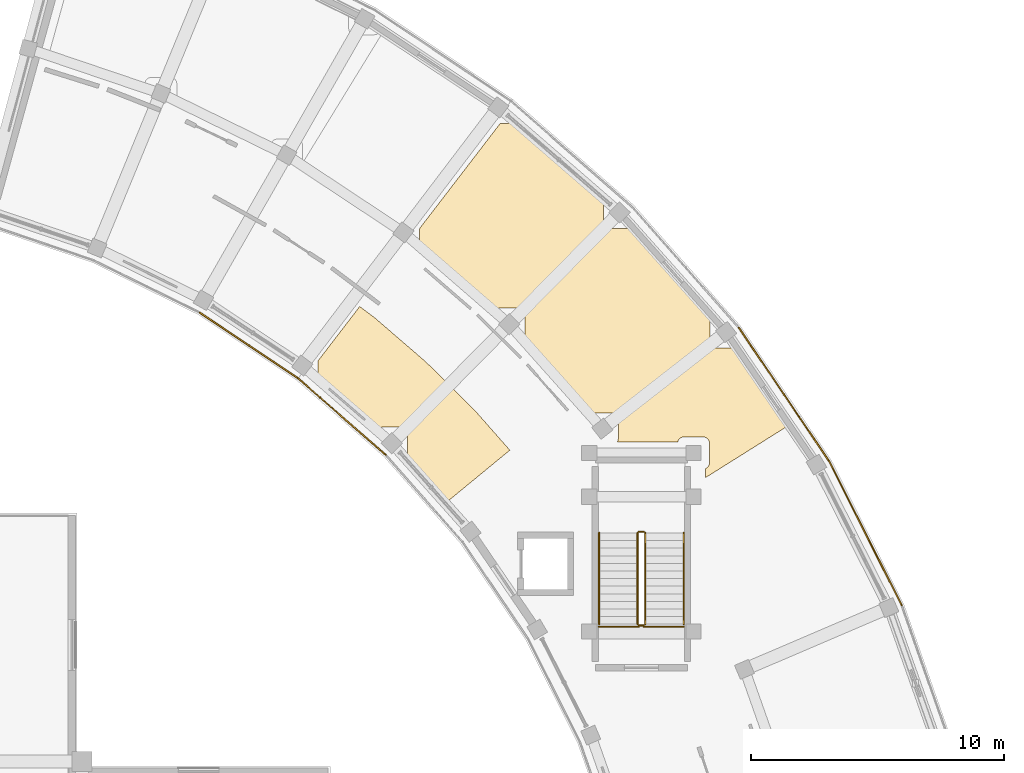
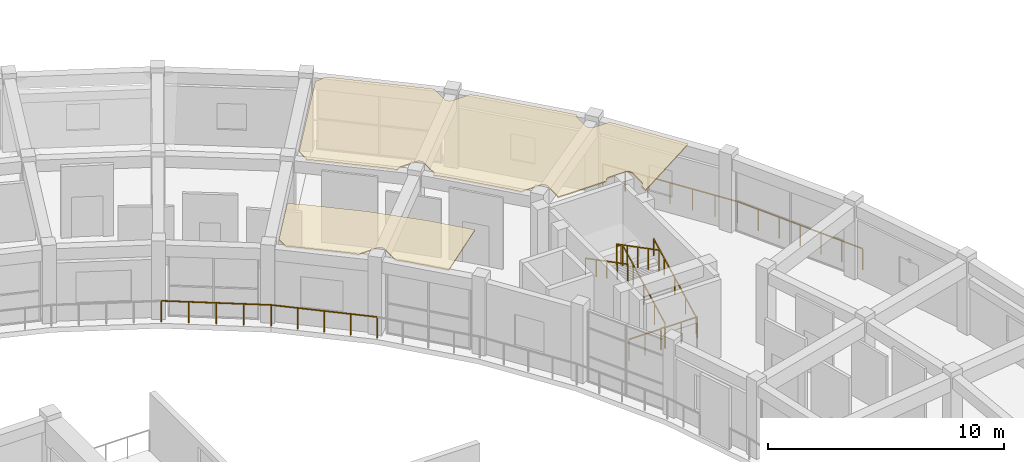
# One storey, part 69 of 70: 12 railings, 2 coverings.
"""IFC4 building model written with IfcOpenShell, lengths in metres."""

import ifcopenshell
import ifcopenshell.guid

model = None  # the IFC model being written
_history = None  # IfcOwnerHistory: only IFC2X3 demands one
_inside = {}  # id of a spatial element -> (the spatial element, [elements in it])
_under = {}  # id of a project, library or spatial element -> (it, [spatial elements below it])
_declared = {}  # id of a project -> (the project, [libraries it declares])
_typed = {}  # id of a type object -> (the type object, [elements of that type])
_made_of = {}  # id of a material, layer set ... -> (it, [elements and type objects made of it])


def new_model(schema):
    """Start an empty IFC model of exactly this schema.

    Asked for "IFC4X3", IfcOpenShell would pick the latest addendum, in which some entities
    have other attributes; the version numbers below select the first issue.
    IFC2X3 requires an IfcOwnerHistory on every rooted entity: one is made here for all.
    """
    global model, _history
    if schema == "IFC4X3":
        model = ifcopenshell.file(schema_version=(4, 3, 0, 0))
    else:
        model = ifcopenshell.file(schema=schema)
    _inside.clear()
    _under.clear()
    _declared.clear()
    _typed.clear()
    _made_of.clear()
    _history = None
    if model.schema == "IFC2X3":
        org = make("IfcOrganization", Name="unknown")
        user = make(
            "IfcPersonAndOrganization",
            ThePerson=make("IfcPerson", FamilyName="unknown"),
            TheOrganization=org,
        )
        app = make(
            "IfcApplication",
            ApplicationDeveloper=org,
            Version="unknown",
            ApplicationFullName="unknown",
            ApplicationIdentifier="unknown",
        )
        _history = make(
            "IfcOwnerHistory",
            OwningUser=user,
            OwningApplication=app,
            ChangeAction="ADDED",
            CreationDate=0,
        )
    return model


def make(cls, **values):
    """One entity of the class cls with the attributes given. An attribute that is None is left unset."""
    return model.create_entity(
        cls, **{name: value for name, value in values.items() if value is not None}
    )


def rooted(cls, **values):
    """An entity with a GlobalId (a new one), such as an element, a storey or a relation."""
    return make(cls, GlobalId=ifcopenshell.guid.new(), OwnerHistory=_history, **values)


def si_unit(unit_type, name, prefix=None):
    """IfcSIUnit, for example si_unit("LENGTHUNIT", "METRE", prefix="MILLI")."""
    return make("IfcSIUnit", UnitType=unit_type, Prefix=prefix, Name=name)


def assignment(units):
    """IfcUnitAssignment: the units of a project."""
    return None if units is None else make("IfcUnitAssignment", Units=units)


def point(xyz):
    """IfcCartesianPoint."""
    return None if xyz is None else make("IfcCartesianPoint", Coordinates=xyz)


def direction(xyz):
    """IfcDirection."""
    return None if xyz is None else make("IfcDirection", DirectionRatios=xyz)


def frame(location, z_axis=None, x_axis=None):
    """IfcAxis2Placement3D, a coordinate frame: its origin and axes. An axis left out is left unset."""
    return make(
        "IfcAxis2Placement3D",
        Location=point(location),
        Axis=direction(z_axis),
        RefDirection=direction(x_axis),
    )


def frame_2d(location, x_axis=None):
    """IfcAxis2Placement2D, a coordinate frame in the plane: its origin and x axis."""
    return make(
        "IfcAxis2Placement2D", Location=point(location), RefDirection=direction(x_axis)
    )


def origin():
    """The frame at (0, 0, 0) with its axes left unset."""
    return frame((0.0, 0.0, 0.0))


def origin_2d():
    """The frame at (0, 0) in the plane with its x axis left unset."""
    return frame_2d((0.0, 0.0))


def place(relative_to, where):
    """IfcLocalPlacement: puts the frame where relative to a parent placement (None: the world)."""
    return make(
        "IfcLocalPlacement", PlacementRelTo=relative_to, RelativePlacement=where
    )


def context(
    kind, dimensions, precision=None, world=None, true_north=None, identifier=None
):
    """IfcGeometricRepresentationContext, for example the 3D "Model" context."""
    return make(
        "IfcGeometricRepresentationContext",
        ContextIdentifier=identifier,
        ContextType=kind,
        CoordinateSpaceDimension=dimensions,
        Precision=precision,
        WorldCoordinateSystem=world,
        TrueNorth=true_north,
    )


def subcontext(parent, identifier, kind, view, scale=None):
    """IfcGeometricRepresentationSubContext, for example "Body" below "Model"."""
    return make(
        "IfcGeometricRepresentationSubContext",
        ContextIdentifier=identifier,
        ContextType=kind,
        ParentContext=parent,
        TargetScale=scale,
        TargetView=view,
    )


def project(units=None, contexts=None):
    """IfcProject with its units and contexts."""
    return rooted(
        "IfcProject",
        Name="project",
        RepresentationContexts=contexts,
        UnitsInContext=assignment(units),
    )


def spatial(cls, under=None, at=None, **own):
    """A site, building, storey or space (cls), placed at a placement, below another one or the project."""
    s = rooted(cls, ObjectPlacement=at, **own)
    if under is not None:
        _under.setdefault(under.id(), (under, []))[1].append(s)
    return s


def polyline(points):
    """IfcPolyline through the points."""
    return make("IfcPolyline", Points=[point(p) for p in points])


def profile(cls, at=None, kind="AREA", **sizes):
    """A parametric profile (cls). Its sizes go by their IFC names, for example OverallWidth=200.0."""
    return make(cls, ProfileType=kind, Position=at, **sizes)


def rectangle(**sizes):
    """IfcRectangleProfileDef."""
    return profile("IfcRectangleProfileDef", **sizes)


def outline(outer, holes=None, kind="AREA"):
    """IfcArbitraryClosedProfileDef: a profile drawn as a closed curve; with holes, ...WithVoids."""
    if holes is None:
        return make("IfcArbitraryClosedProfileDef", ProfileType=kind, OuterCurve=outer)
    return make(
        "IfcArbitraryProfileDefWithVoids",
        ProfileType=kind,
        OuterCurve=outer,
        InnerCurves=holes,
    )


def extrude(swept, where, along, depth):
    """IfcExtrudedAreaSolid: the profile swept, set in the frame where, extruded along a direction by depth."""
    return make(
        "IfcExtrudedAreaSolid",
        SweptArea=swept,
        Position=where,
        ExtrudedDirection=direction(along),
        Depth=depth,
    )


def shape(context_of_items, identifier, shape_type, items):
    """IfcShapeRepresentation: the items that make up one representation, for example the "Body"."""
    return make(
        "IfcShapeRepresentation",
        ContextOfItems=context_of_items,
        RepresentationIdentifier=identifier,
        RepresentationType=shape_type,
        Items=items,
    )


def material(Name=None, Category=None):
    """IfcMaterial."""
    return make("IfcMaterial", Name=Name, Category=Category)


def layer(
    of_material, thickness, ventilated=None, Name=None, Category=None, Priority=None
):
    """IfcMaterialLayer: one layer of a wall or slab, of a material (None: an air gap)."""
    return make(
        "IfcMaterialLayer",
        Material=of_material,
        LayerThickness=thickness,
        IsVentilated=ventilated,
        Name=Name,
        Category=Category,
        Priority=Priority,
    )


def layer_set(layers, Name=None):
    """IfcMaterialLayerSet."""
    return make("IfcMaterialLayerSet", MaterialLayers=layers, LayerSetName=Name)


def made_of(thing, what):
    """Note that an element or type object is made of a material, layer set ...; save() writes the relation."""
    if what is not None:
        _made_of.setdefault(what.id(), (what, []))[1].append(thing)
    return thing


def type_object(cls, material=None, **own):
    """A type object (cls), such as IfcWallType, which elements share."""
    return made_of(rooted(cls, **own), material)


def element(
    cls,
    number,
    at=None,
    inside=None,
    cuts=None,
    type_object=None,
    material=None,
    context=None,
    identifier="Body",
    shape_type=None,
    held_by="IfcProductDefinitionShape",
    body=None,
    shapes=None,
    **own,
):
    """One element of the class cls, such as IfcWall. Its Tag is "e" and its number.

    at: its placement. inside: the storey or other place that contains it. cuts: it is an
    opening in that element (IfcRelVoidsElement). A single representation is given by context,
    identifier, shape_type and body (its items); several are given by shapes. held_by: the class
    of the entity that holds the representations. save() writes the other relations.
    """
    e = rooted(cls, Tag="e%d" % number, ObjectPlacement=at, **own)
    if body is not None:
        shapes = [shape(context, identifier, shape_type, body)]
    if shapes is not None:
        e.Representation = make(held_by, Representations=shapes)
    if inside is not None:
        _inside.setdefault(inside.id(), (inside, []))[1].append(e)
    if cuts is not None:
        rooted(
            "IfcRelVoidsElement", RelatingBuildingElement=cuts, RelatedOpeningElement=e
        )
    if type_object is not None:
        _typed.setdefault(type_object.id(), (type_object, []))[1].append(e)
    return made_of(e, material)


def aggregate(whole, parts):
    """IfcRelAggregates: a whole, such as a stair, and the parts it consists of."""
    return rooted("IfcRelAggregates", RelatingObject=whole, RelatedObjects=parts)


def save(model, path):
    """Write the relations noted so far, then the file.

    IfcRelAggregates (storeys below a building ...), IfcRelContainedInSpatialStructure (elements
    in a storey), IfcRelDefinesByType, IfcRelAssociatesMaterial and IfcRelDeclares: one each for
    every whole, place, type object, material and project.
    """
    for whole, parts in _under.values():
        aggregate(whole, parts)
    for where, things in _inside.values():
        rooted(
            "IfcRelContainedInSpatialStructure",
            RelatedElements=things,
            RelatingStructure=where,
        )
    for kind, things in _typed.values():
        rooted("IfcRelDefinesByType", RelatedObjects=things, RelatingType=kind)
    for what, things in _made_of.values():
        rooted("IfcRelAssociatesMaterial", RelatedObjects=things, RelatingMaterial=what)
    for by, libraries in _declared.values():
        rooted("IfcRelDeclares", RelatingContext=by, RelatedDefinitions=libraries)
    model.write(path)


model = new_model("IFC4")

# Units and contexts
model_context = context("Model", 3, precision=1e-05, world=origin(), true_north=direction((0.0, 1.0)))
body_context = subcontext(model_context, "Body", "Model", "MODEL_VIEW")
ifc_project = project(units=[si_unit("LENGTHUNIT", "METRE"), si_unit("AREAUNIT", "SQUARE_METRE"), si_unit("VOLUMEUNIT", "CUBIC_METRE"), si_unit("PLANEANGLEUNIT", "RADIAN"), si_unit("MASSUNIT", "GRAM", prefix="KILO")], contexts=[model_context])

# Site, building, storey
site_placement = place(None, origin())
site = spatial("IfcSite", under=ifc_project, at=site_placement, CompositionType="ELEMENT")
building_placement = place(site_placement, origin())
building = spatial("IfcBuilding", under=site, at=building_placement, Name="Saryqyr Civic Hall", CompositionType="ELEMENT")
storey_placement = place(building_placement, frame((0.0, 0.0, 13.199951171875)))
storey = spatial("IfcBuildingStorey", under=building, at=storey_placement, Name="L03", CompositionType="ELEMENT", Elevation=13.199951171875)

# Coverings
ifc_material_1 = material(Name="Mineral-fibre acoustic ceiling tile", Category="acoustic_tile")
ifc_layer_1 = layer(ifc_material_1, 0.06005859375, Name="Mineral-fibre acoustic ceiling tile")
ifc_layer_set_1 = layer_set([ifc_layer_1], Name="Mineral-fibre acoustic ceiling tile")
covering_type = type_object("IfcCoveringType", Name="INT-COV-CEIL-60", PredefinedType="CEILING", material=ifc_layer_set_1)
covering_1_placement = place(storey_placement, frame((0.0, 0.0, 3.72998046875)))
element("IfcCovering", 1, at=covering_1_placement, inside=storey, type_object=covering_type, Name="Acoustic ceiling Building Control & Seismic Safety Inspectorate", PredefinedType="CEILING", context=body_context, shape_type="SweptSolid", body=[
    extrude(outline(polyline([(94.85888671875, 108.7919921875), (94.878662109375, 108.806640625), (94.896728515625, 108.8232421875), (94.913330078125, 108.84130859375), (94.927978515625, 108.861083984375), (94.9404296875, 108.882080078125), (94.950927734375, 108.904296875), (94.959228515625, 108.927490234375), (94.965087890625, 108.951171875), (94.96875, 108.9755859375), (94.969970703125, 109.0), (94.969970703125, 109.760009765625), (94.96875, 109.784423828125), (94.965087890625, 109.808837890625), (94.959228515625, 109.83251953125), (94.950927734375, 109.855712890625), (94.9404296875, 109.877685546875), (94.927978515625, 109.89892578125), (94.913330078125, 109.918701171875), (94.896728515625, 109.936767578125), (94.878662109375, 109.953369140625), (94.85888671875, 109.968017578125), (94.837890625, 109.98046875), (94.815673828125, 109.990966796875), (94.79248046875, 109.999267578125), (94.768798828125, 110.005126953125), (94.744384765625, 110.0087890625), (94.719970703125, 110.010009765625), (93.9599609375, 110.010009765625), (93.935546875, 110.0087890625), (93.9111328125, 110.005126953125), (93.887451171875, 109.999267578125), (93.8642578125, 109.990966796875), (93.84228515625, 109.98046875), (93.821044921875, 109.968017578125), (93.801513671875, 109.953369140625), (93.783203125, 109.936767578125), (93.7666015625, 109.918701171875), (93.752197265625, 109.89892578125), (93.739501953125, 109.877685546875), (93.72900390625, 109.855712890625), (93.720703125, 109.83251953125), (93.717529296875, 109.820068359375), (91.328125, 109.820068359375), (91.3388671875, 109.837890625), (91.349365234375, 109.85986328125), (91.357666015625, 109.883056640625), (91.363525390625, 109.90673828125), (91.3671875, 109.93115234375), (91.368408203125, 109.95556640625), (91.368408203125, 110.715576171875), (91.3671875, 110.739990234375), (91.363525390625, 110.764404296875), (91.357666015625, 110.7880859375), (91.349365234375, 110.811279296875), (91.3388671875, 110.83349609375), (91.326416015625, 110.8544921875), (91.311767578125, 110.874267578125), (91.295166015625, 110.892333984375), (91.277099609375, 110.908935546875), (91.25732421875, 110.923583984375), (91.236083984375, 110.93603515625), (91.214111328125, 110.946533203125), (91.19091796875, 110.954833984375), (91.167236328125, 110.960693359375), (91.142822265625, 110.96435546875), (91.118408203125, 110.965576171875), (90.3583984375, 110.965576171875), (90.333984375, 110.96435546875), (90.3095703125, 110.960693359375), (90.285888671875, 110.954833984375), (90.2626953125, 110.946533203125), (90.240478515625, 110.93603515625), (90.219482421875, 110.923583984375), (90.201416015625, 110.91015625), (89.92724609375, 111.26416015625), (89.904296875, 111.2919921875), (88.064697265625, 113.36865234375), (88.0400390625, 113.394775390625), (87.564208984375, 113.86572265625), (87.581787109375, 113.876220703125), (87.601318359375, 113.890869140625), (87.61962890625, 113.907470703125), (87.635986328125, 113.925537109375), (87.650634765625, 113.9453125), (87.663330078125, 113.96630859375), (87.673828125, 113.988525390625), (87.681884765625, 114.01171875), (87.68798828125, 114.035400390625), (87.691650390625, 114.059814453125), (87.69287109375, 114.084228515625), (87.69287109375, 114.84423828125), (87.691650390625, 114.86865234375), (87.68798828125, 114.89306640625), (87.681884765625, 114.916748046875), (87.673828125, 114.93994140625), (87.663330078125, 114.9619140625), (87.650634765625, 114.983154296875), (87.635986328125, 115.002685546875), (87.61962890625, 115.02099609375), (87.601318359375, 115.03759765625), (87.581787109375, 115.052001953125), (87.560546875, 115.064697265625), (87.53857421875, 115.0751953125), (87.515380859375, 115.08349609375), (87.49169921875, 115.08935546875), (87.46728515625, 115.093017578125), (87.44287109375, 115.09423828125), (86.682861328125, 115.09423828125), (86.658203125, 115.093017578125), (86.634033203125, 115.08935546875), (86.610107421875, 115.08349609375), (86.587158203125, 115.0751953125), (86.56494140625, 115.064697265625), (86.5439453125, 115.052001953125), (86.524169921875, 115.03759765625), (86.506103515625, 115.02099609375), (86.489501953125, 115.002685546875), (86.474853515625, 114.983154296875), (86.46240234375, 114.9619140625), (86.46044921875, 114.9580078125), (86.068115234375, 115.34619140625), (86.04150390625, 115.37060546875), (83.94580078125, 117.188232421875), (83.917724609375, 117.2109375), (83.465087890625, 117.55419921875), (83.4736328125, 117.56591796875), (83.486328125, 117.5869140625), (83.496826171875, 117.60888671875), (83.5048828125, 117.632080078125), (83.510986328125, 117.656005859375), (83.5146484375, 117.68017578125), (83.515869140625, 117.70458984375), (83.515869140625, 118.2275390625), (86.71142578125, 122.39208984375), (87.015625, 122.39208984375), (87.0400390625, 122.393310546875), (87.064453125, 122.39697265625), (87.088134765625, 122.403076171875), (87.111328125, 122.4111328125), (87.13330078125, 122.421630859375), (87.154541015625, 122.434326171875), (87.17431640625, 122.448974609375), (87.1923828125, 122.46533203125), (87.199462890625, 122.473388671875), (87.50439453125, 122.2421875), (90.744140625, 119.407958984375), (90.8046875, 119.34765625), (90.798583984375, 119.329833984375), (90.79248046875, 119.30615234375), (90.788818359375, 119.28173828125), (90.78759765625, 119.25732421875), (90.78759765625, 118.497314453125), (90.788818359375, 118.472900390625), (90.79248046875, 118.448486328125), (90.798583984375, 118.4248046875), (90.806640625, 118.401611328125), (90.817138671875, 118.37939453125), (90.829833984375, 118.3583984375), (90.844482421875, 118.338623046875), (90.86083984375, 118.320556640625), (90.879150390625, 118.303955078125), (90.898681640625, 118.289306640625), (90.919921875, 118.27685546875), (90.94189453125, 118.266357421875), (90.965087890625, 118.258056640625), (90.989013671875, 118.252197265625), (91.01318359375, 118.24853515625), (91.03759765625, 118.247314453125), (91.797607421875, 118.247314453125), (91.822265625, 118.24853515625), (91.846435546875, 118.252197265625), (91.870361328125, 118.258056640625), (91.893310546875, 118.266357421875), (91.896240234375, 118.267578125), (92.1875, 117.9794921875), (95.03515625, 114.755615234375), (95.071044921875, 114.709228515625), (95.06884765625, 114.70751953125), (95.052490234375, 114.689208984375), (95.037841796875, 114.66943359375), (95.025146484375, 114.6484375), (95.0146484375, 114.626220703125), (95.006591796875, 114.603271484375), (95.00048828125, 114.579345703125), (94.996826171875, 114.55517578125), (94.99560546875, 114.530517578125), (94.99560546875, 113.7705078125), (94.996826171875, 113.74609375), (95.00048828125, 113.7216796875), (95.006591796875, 113.697998046875), (95.0146484375, 113.6748046875), (95.025146484375, 113.65283203125), (95.037841796875, 113.631591796875), (95.052490234375, 113.612060546875), (95.06884765625, 113.59375), (95.087158203125, 113.577392578125), (95.106689453125, 113.562744140625), (95.1279296875, 113.550048828125), (95.14990234375, 113.53955078125), (95.173095703125, 113.531494140625), (95.197021484375, 113.525390625), (95.22119140625, 113.521728515625), (95.24560546875, 113.5205078125), (95.99169921875, 113.5205078125), (96.279296875, 113.149658203125), (98.094970703125, 110.466796875), (94.820068359375, 108.4111328125), (94.820068359375, 108.77099609375), (94.837890625, 108.779541015625), (94.85888671875, 108.7919921875)])), origin(), (0.0, 0.0, 1.0), 0.06005859375),
])
covering_2_placement = place(storey_placement, frame((0.0, 0.0, 3.72998046875)))
element("IfcCovering", 2, at=covering_2_placement, inside=storey, type_object=covering_type, Name="Acoustic ceiling Inter-Agency Coordination Room", PredefinedType="CEILING", context=body_context, shape_type="SweptSolid", body=[
    extrude(outline(polyline([(83.02734375, 109.268798828125), (83.037841796875, 109.290771484375), (83.046142578125, 109.31396484375), (83.052001953125, 109.337646484375), (83.0556640625, 109.362060546875), (83.056884765625, 109.386474609375), (83.056884765625, 110.146484375), (83.0556640625, 110.1708984375), (83.052001953125, 110.1953125), (83.046142578125, 110.218994140625), (83.037841796875, 110.2421875), (83.02734375, 110.264404296875), (83.014892578125, 110.285400390625), (83.000244140625, 110.30517578125), (82.983642578125, 110.3232421875), (82.965576171875, 110.33984375), (82.94580078125, 110.3544921875), (82.9248046875, 110.366943359375), (82.902587890625, 110.37744140625), (82.87939453125, 110.3857421875), (82.855712890625, 110.3916015625), (82.831298828125, 110.395263671875), (82.806884765625, 110.396484375), (82.046875, 110.396484375), (82.0224609375, 110.395263671875), (81.998046875, 110.3916015625), (81.974365234375, 110.3857421875), (81.951171875, 110.37744140625), (81.92919921875, 110.366943359375), (81.907958984375, 110.3544921875), (81.905029296875, 110.352294921875), (81.632080078125, 110.622314453125), (81.6044921875, 110.647705078125), (79.760986328125, 112.23876953125), (79.731689453125, 112.26220703125), (79.522216796875, 112.419677734375), (79.522705078125, 112.42431640625), (79.52392578125, 112.44873046875), (79.52392578125, 113.025390625), (81.162841796875, 115.1611328125), (81.74072265625, 114.727294921875), (83.77685546875, 112.970458984375), (85.6884765625, 111.07861328125), (87.089599609375, 109.489013671875), (84.634033203125, 107.46923828125), (83.388671875, 108.88232421875), (83.363037109375, 108.909423828125), (83.01708984375, 109.251708984375), (83.02734375, 109.268798828125)])), origin(), (0.0, 0.0, 1.0), 0.06005859375),
])

# Railings
ifc_material_2 = material(Name="Warm brushed brass and laminated glass", Category="glass")
ifc_layer_2 = layer(ifc_material_2, 0.06005859375, Name="Warm brushed brass and laminated glass")
ifc_layer_set_2 = layer_set([ifc_layer_2], Name="Warm brushed brass and laminated glass")
railing_type_1 = type_object("IfcRailingType", Name="INT-RLG-BAL-1100", PredefinedType="BALUSTRADE", material=ifc_layer_set_2)
railing_1_placement = place(storey_placement, frame((92.429931640625, 102.6201171875, 0.15576171875)))
element("IfcRailing", 3, at=railing_1_placement, inside=storey, type_object=railing_type_1, Name="L03 ST-6 stair guard 1", PredefinedType="BALUSTRADE", context=body_context, shape_type="SweptSolid", body=[
    extrude(rectangle(XDim=0.048095703125, YDim=0.048095703125, at=origin_2d()), frame((0.0, 0.0, 1.076171875), z_axis=(0.0, 0.887472880572, 0.460859942119), x_axis=(-1.0, 0.0, 0.0)), (0.0, 0.0, 1.0), 4.056396484375),
    extrude(rectangle(XDim=0.0419921875, YDim=0.0419921875, at=origin_2d()), origin(), (0.0, 0.0, 1.0), 1.052001953125),
    extrude(rectangle(XDim=0.0419921875, YDim=0.0419921875, at=origin_2d()), frame((0.0, 0.89990234375, 0.46728515625)), (0.0, 0.0, 1.0), 1.052001953125),
    extrude(rectangle(XDim=0.0419921875, YDim=0.0419921875, at=origin_2d()), frame((0.0, 1.7998046875, 0.9345703125)), (0.0, 0.0, 1.0), 1.052001953125),
    extrude(rectangle(XDim=0.0419921875, YDim=0.0419921875, at=origin_2d()), frame((0.0, 2.699951171875, 1.402099609375)), (0.0, 0.0, 1.0), 1.052001953125),
    extrude(rectangle(XDim=0.0419921875, YDim=0.0419921875, at=origin_2d()), frame((0.0, 3.599853515625, 1.869384765625)), (0.0, 0.0, 1.0), 1.052001953125),
])
railing_2_placement = place(storey_placement, frame((92.3798828125, 106.27001953125, 2.025146484375)))
element("IfcRailing", 4, at=railing_2_placement, inside=storey, type_object=railing_type_1, Name="L03 ST-6 stair guard 2", PredefinedType="BALUSTRADE", context=body_context, shape_type="SweptSolid", body=[
    extrude(rectangle(XDim=0.048095703125, YDim=0.048095703125, at=origin_2d()), frame((0.0, 0.0, 1.076171875), z_axis=(-1.0, 0.0, 0.0), x_axis=(0.0, -1.0, 0.0)), (0.0, 0.0, 1.0), 0.199951171875),
    extrude(rectangle(XDim=0.0419921875, YDim=0.0419921875, at=origin_2d()), origin(), (0.0, 0.0, 1.0), 1.052001953125),
    extrude(rectangle(XDim=0.0419921875, YDim=0.0419921875, at=origin_2d()), frame((-0.199951171875, 0.0, 0.0)), (0.0, 0.0, 1.0), 1.052001953125),
])
railing_3_placement = place(storey_placement, frame((92.1298828125, 106.219970703125, 2.180908203125)))
element("IfcRailing", 5, at=railing_3_placement, inside=storey, type_object=railing_type_1, Name="L03 ST-6 stair guard 3", PredefinedType="BALUSTRADE", context=body_context, shape_type="SweptSolid", body=[
    extrude(rectangle(XDim=0.048095703125, YDim=0.048095703125, at=origin_2d()), frame((0.0, 0.0, 1.076171875), z_axis=(0.0, -0.887497496945, 0.460812535545), x_axis=(1.0, 0.0, 0.0)), (0.0, 0.0, 1.0), 4.05615234375),
    extrude(rectangle(XDim=0.0419921875, YDim=0.0419921875, at=origin_2d()), origin(), (0.0, 0.0, 1.0), 1.052001953125),
    extrude(rectangle(XDim=0.0419921875, YDim=0.0419921875, at=origin_2d()), frame((0.0, -0.89990234375, 0.46728515625)), (0.0, 0.0, 1.0), 1.052001953125),
    extrude(rectangle(XDim=0.0419921875, YDim=0.0419921875, at=origin_2d()), frame((0.0, -1.7998046875, 0.9345703125)), (0.0, 0.0, 1.0), 1.052001953125),
    extrude(rectangle(XDim=0.0419921875, YDim=0.0419921875, at=origin_2d()), frame((0.0, -2.699951171875, 1.40185546875)), (0.0, 0.0, 1.0), 1.052001953125),
    extrude(rectangle(XDim=0.0419921875, YDim=0.0419921875, at=origin_2d()), frame((0.0, -3.599853515625, 1.869140625)), (0.0, 0.0, 1.0), 1.052001953125),
])
railing_4_placement = place(storey_placement, frame((92.3798828125, 102.570068359375, 0.0)))
element("IfcRailing", 6, at=railing_4_placement, inside=storey, type_object=railing_type_1, Name="L03 ST-6 stair guard 4", PredefinedType="BALUSTRADE", context=body_context, shape_type="SweptSolid", body=[
    extrude(rectangle(XDim=0.048095703125, YDim=0.048095703125, at=origin_2d()), frame((0.0, 0.0, 1.076171875), z_axis=(-1.0, 0.0, 0.0), x_axis=(0.0, -1.0, 0.0)), (0.0, 0.0, 1.0), 0.199951171875),
    extrude(rectangle(XDim=0.0419921875, YDim=0.0419921875, at=origin_2d()), origin(), (0.0, 0.0, 1.0), 1.052001953125),
    extrude(rectangle(XDim=0.0419921875, YDim=0.0419921875, at=origin_2d()), frame((-0.199951171875, 0.0, 0.0)), (0.0, 0.0, 1.0), 1.052001953125),
])
railing_5_placement = place(storey_placement, frame((82.18408203125, 109.3037109375, 0.0)))
element("IfcRailing", 7, at=railing_5_placement, inside=storey, type_object=railing_type_1, Name="Interior deck safety balustrade L03-041", PredefinedType="BALUSTRADE", context=body_context, shape_type="SweptSolid", body=[
    extrude(rectangle(XDim=0.048095703125, YDim=0.048095703125, at=origin_2d()), frame((0.0, 0.0, 1.09619140625), z_axis=(-0.752629463161, 0.658444296188, 0.0), x_axis=(-0.658444296188, -0.752629463161, 0.0)), (0.0, 0.0, 1.0), 4.58544921875),
    extrude(rectangle(XDim=0.0419921875, YDim=0.0419921875, at=origin_2d()), origin(), (0.0, 0.0, 1.0), 1.072021484375),
    extrude(rectangle(XDim=0.0419921875, YDim=0.0419921875, at=origin_2d()), frame((-0.86279296875, 0.7548828125, 0.0)), (0.0, 0.0, 1.0), 1.072021484375),
    extrude(rectangle(XDim=0.0419921875, YDim=0.0419921875, at=origin_2d()), frame((-1.7255859375, 1.509765625, 0.0)), (0.0, 0.0, 1.0), 1.072021484375),
    extrude(rectangle(XDim=0.0419921875, YDim=0.0419921875, at=origin_2d()), frame((-2.58837890625, 2.264404296875, 0.0)), (0.0, 0.0, 1.0), 1.072021484375),
    extrude(rectangle(XDim=0.0419921875, YDim=0.0419921875, at=origin_2d()), frame((-3.451171875, 3.019287109375, 0.0)), (0.0, 0.0, 1.0), 1.072021484375),
])
railing_6_placement = place(storey_placement, frame((78.73291015625, 112.322998046875, 0.0)))
element("IfcRailing", 8, at=railing_6_placement, inside=storey, type_object=railing_type_1, Name="Interior deck safety balustrade L03-042", PredefinedType="BALUSTRADE", context=body_context, shape_type="SweptSolid", body=[
    extrude(rectangle(XDim=0.048095703125, YDim=0.048095703125, at=origin_2d()), frame((0.0, 0.0, 1.09619140625), z_axis=(-0.831486832924, 0.555544459674, 0.0), x_axis=(-0.555544459674, -0.831486832924, 0.0)), (0.0, 0.0, 1.0), 4.669677734375),
    extrude(rectangle(XDim=0.0419921875, YDim=0.0419921875, at=origin_2d()), origin(), (0.0, 0.0, 1.0), 1.072021484375),
    extrude(rectangle(XDim=0.0419921875, YDim=0.0419921875, at=origin_2d()), frame((-0.970703125, 0.6484375, 0.0)), (0.0, 0.0, 1.0), 1.072021484375),
    extrude(rectangle(XDim=0.0419921875, YDim=0.0419921875, at=origin_2d()), frame((-1.94140625, 1.297119140625, 0.0)), (0.0, 0.0, 1.0), 1.072021484375),
    extrude(rectangle(XDim=0.0419921875, YDim=0.0419921875, at=origin_2d()), frame((-2.912109375, 1.94580078125, 0.0)), (0.0, 0.0, 1.0), 1.072021484375),
    extrude(rectangle(XDim=0.0419921875, YDim=0.0419921875, at=origin_2d()), frame((-3.8828125, 2.59423828125, 0.0)), (0.0, 0.0, 1.0), 1.072021484375),
])
railing_7_placement = place(storey_placement, frame((96.127685546875, 114.319091796875, 0.0)))
element("IfcRailing", 9, at=railing_7_placement, inside=storey, type_object=railing_type_1, Name="Interior deck safety balustrade L03-052", PredefinedType="BALUSTRADE", context=body_context, shape_type="SweptSolid", body=[
    extrude(rectangle(XDim=0.048095703125, YDim=0.048095703125, at=origin_2d()), frame((0.0, 0.0, 1.09619140625), z_axis=(0.560499967333, -0.828154446115, 0.0), x_axis=(0.828154446115, 0.560499967333, 0.0)), (0.0, 0.0, 1.0), 6.357666015625),
    extrude(rectangle(XDim=0.0419921875, YDim=0.0419921875, at=origin_2d()), origin(), (0.0, 0.0, 1.0), 1.072021484375),
    extrude(rectangle(XDim=0.0419921875, YDim=0.0419921875, at=origin_2d()), frame((0.593994140625, -0.87744140625, 0.0)), (0.0, 0.0, 1.0), 1.072021484375),
    extrude(rectangle(XDim=0.0419921875, YDim=0.0419921875, at=origin_2d()), frame((1.187744140625, -1.755126953125, 0.0)), (0.0, 0.0, 1.0), 1.072021484375),
    extrude(rectangle(XDim=0.0419921875, YDim=0.0419921875, at=origin_2d()), frame((1.78173828125, -2.632568359375, 0.0)), (0.0, 0.0, 1.0), 1.072021484375),
    extrude(rectangle(XDim=0.0419921875, YDim=0.0419921875, at=origin_2d()), frame((2.375732421875, -3.510009765625, 0.0)), (0.0, 0.0, 1.0), 1.072021484375),
    extrude(rectangle(XDim=0.0419921875, YDim=0.0419921875, at=origin_2d()), frame((2.969482421875, -4.3876953125, 0.0)), (0.0, 0.0, 1.0), 1.072021484375),
    extrude(rectangle(XDim=0.0419921875, YDim=0.0419921875, at=origin_2d()), frame((3.5634765625, -5.26513671875, 0.0)), (0.0, 0.0, 1.0), 1.072021484375),
])
railing_8_placement = place(storey_placement, frame((99.691162109375, 109.053955078125, 0.0)))
element("IfcRailing", 10, at=railing_8_placement, inside=storey, type_object=railing_type_1, Name="Interior deck safety balustrade L03-053", PredefinedType="BALUSTRADE", context=body_context, shape_type="SweptSolid", body=[
    extrude(rectangle(XDim=0.048095703125, YDim=0.048095703125, at=origin_2d()), frame((0.0, 0.0, 1.09619140625), z_axis=(0.449700172546, -0.893179575904, 0.0), x_axis=(0.893179575904, 0.449700172546, 0.0)), (0.0, 0.0, 1.0), 6.35791015625),
    extrude(rectangle(XDim=0.0419921875, YDim=0.0419921875, at=origin_2d()), origin(), (0.0, 0.0, 1.0), 1.072021484375),
    extrude(rectangle(XDim=0.0419921875, YDim=0.0419921875, at=origin_2d()), frame((0.4765625, -0.946533203125, 0.0)), (0.0, 0.0, 1.0), 1.072021484375),
    extrude(rectangle(XDim=0.0419921875, YDim=0.0419921875, at=origin_2d()), frame((0.953125, -1.892822265625, 0.0)), (0.0, 0.0, 1.0), 1.072021484375),
    extrude(rectangle(XDim=0.0419921875, YDim=0.0419921875, at=origin_2d()), frame((1.4296875, -2.83935546875, 0.0)), (0.0, 0.0, 1.0), 1.072021484375),
    extrude(rectangle(XDim=0.0419921875, YDim=0.0419921875, at=origin_2d()), frame((1.906005859375, -3.785888671875, 0.0)), (0.0, 0.0, 1.0), 1.072021484375),
    extrude(rectangle(XDim=0.0419921875, YDim=0.0419921875, at=origin_2d()), frame((2.382568359375, -4.732177734375, 0.0)), (0.0, 0.0, 1.0), 1.072021484375),
    extrude(rectangle(XDim=0.0419921875, YDim=0.0419921875, at=origin_2d()), frame((2.859130859375, -5.6787109375, 0.0)), (0.0, 0.0, 1.0), 1.072021484375),
])
railing_9_placement = place(storey_placement, frame((90.60498046875, 102.52001953125, 0.0)))
element("IfcRailing", 11, at=railing_9_placement, inside=storey, type_object=railing_type_1, Name="Interior deck safety balustrade L03-096", PredefinedType="BALUSTRADE", context=body_context, shape_type="SweptSolid", body=[
    extrude(rectangle(XDim=0.048095703125, YDim=0.048095703125, at=origin_2d()), frame((0.0, 0.0, 1.09619140625), z_axis=(1.0, 0.0, 0.0), x_axis=(0.0, 1.0, 0.0)), (0.0, 0.0, 1.0), 1.574951171875),
    extrude(rectangle(XDim=0.0419921875, YDim=0.0419921875, at=origin_2d()), origin(), (0.0, 0.0, 1.0), 1.072021484375),
    extrude(rectangle(XDim=0.0419921875, YDim=0.0419921875, at=origin_2d()), frame((0.78759765625, 0.0, 0.0)), (0.0, 0.0, 1.0), 1.072021484375),
    extrude(rectangle(XDim=0.0419921875, YDim=0.0419921875, at=origin_2d()), frame((1.574951171875, 0.0, 0.0)), (0.0, 0.0, 1.0), 1.072021484375),
])
railing_10_placement = place(storey_placement, frame((92.3798828125, 102.52001953125, 0.0)))
element("IfcRailing", 12, at=railing_10_placement, inside=storey, type_object=railing_type_1, Name="Interior deck safety balustrade L03-097", PredefinedType="BALUSTRADE", context=body_context, shape_type="SweptSolid", body=[
    extrude(rectangle(XDim=0.048095703125, YDim=0.048095703125, at=origin_2d()), frame((0.0, 0.0, 1.09619140625), z_axis=(1.0, 0.0, 0.0), x_axis=(0.0, 1.0, 0.0)), (0.0, 0.0, 1.0), 1.5751953125),
    extrude(rectangle(XDim=0.0419921875, YDim=0.0419921875, at=origin_2d()), origin(), (0.0, 0.0, 1.0), 1.072021484375),
    extrude(rectangle(XDim=0.0419921875, YDim=0.0419921875, at=origin_2d()), frame((0.78759765625, 0.0, 0.0)), (0.0, 0.0, 1.0), 1.072021484375),
    extrude(rectangle(XDim=0.0419921875, YDim=0.0419921875, at=origin_2d()), frame((1.5751953125, 0.0, 0.0)), (0.0, 0.0, 1.0), 1.072021484375),
])
ifc_material_3 = material(Name="Stainless steel", Category="steel")
ifc_layer_3 = layer(ifc_material_3, 0.050048828125, Name="Stainless steel")
ifc_layer_set_3 = layer_set([ifc_layer_3], Name="Stainless steel")
railing_type_2 = type_object("IfcRailingType", Name="INT-RLG-HND-900", PredefinedType="HANDRAIL", material=ifc_layer_set_3)
railing_11_placement = place(storey_placement, frame((93.949951171875, 102.6201171875, 0.15576171875)))
element("IfcRailing", 13, at=railing_11_placement, inside=storey, type_object=railing_type_2, Name="L03 ST-6 stair handrail 1", PredefinedType="HANDRAIL", context=body_context, shape_type="SweptSolid", body=[
    extrude(rectangle(XDim=0.048095703125, YDim=0.048095703125, at=origin_2d()), frame((0.0, 0.0, 0.8759765625), z_axis=(0.0, 0.887472880572, 0.460859942119), x_axis=(-1.0, 0.0, 0.0)), (0.0, 0.0, 1.0), 4.056396484375),
    extrude(rectangle(XDim=0.0419921875, YDim=0.0419921875, at=origin_2d()), origin(), (0.0, 0.0, 1.0), 0.851806640625),
    extrude(rectangle(XDim=0.0419921875, YDim=0.0419921875, at=origin_2d()), frame((0.0, 0.89990234375, 0.46728515625)), (0.0, 0.0, 1.0), 0.851806640625),
    extrude(rectangle(XDim=0.0419921875, YDim=0.0419921875, at=origin_2d()), frame((0.0, 1.7998046875, 0.9345703125)), (0.0, 0.0, 1.0), 0.851806640625),
    extrude(rectangle(XDim=0.0419921875, YDim=0.0419921875, at=origin_2d()), frame((0.0, 2.699951171875, 1.402099609375)), (0.0, 0.0, 1.0), 0.851806640625),
    extrude(rectangle(XDim=0.0419921875, YDim=0.0419921875, at=origin_2d()), frame((0.0, 3.599853515625, 1.869384765625)), (0.0, 0.0, 1.0), 0.851806640625),
])
railing_12_placement = place(storey_placement, frame((90.610107421875, 106.219970703125, 2.180908203125)))
element("IfcRailing", 14, at=railing_12_placement, inside=storey, type_object=railing_type_2, Name="L03 ST-6 stair handrail 2", PredefinedType="HANDRAIL", context=body_context, shape_type="SweptSolid", body=[
    extrude(rectangle(XDim=0.048095703125, YDim=0.048095703125, at=origin_2d()), frame((0.0, 0.0, 0.8759765625), z_axis=(0.0, -0.887497496945, 0.460812535545), x_axis=(1.0, 0.0, 0.0)), (0.0, 0.0, 1.0), 4.05615234375),
    extrude(rectangle(XDim=0.0419921875, YDim=0.0419921875, at=origin_2d()), origin(), (0.0, 0.0, 1.0), 0.851806640625),
    extrude(rectangle(XDim=0.0419921875, YDim=0.0419921875, at=origin_2d()), frame((0.0, -0.89990234375, 0.46728515625)), (0.0, 0.0, 1.0), 0.851806640625),
    extrude(rectangle(XDim=0.0419921875, YDim=0.0419921875, at=origin_2d()), frame((0.0, -1.7998046875, 0.9345703125)), (0.0, 0.0, 1.0), 0.851806640625),
    extrude(rectangle(XDim=0.0419921875, YDim=0.0419921875, at=origin_2d()), frame((0.0, -2.699951171875, 1.40185546875)), (0.0, 0.0, 1.0), 0.851806640625),
    extrude(rectangle(XDim=0.0419921875, YDim=0.0419921875, at=origin_2d()), frame((0.0, -3.599853515625, 1.869140625)), (0.0, 0.0, 1.0), 0.851806640625),
])

save(model, "model.ifc")
